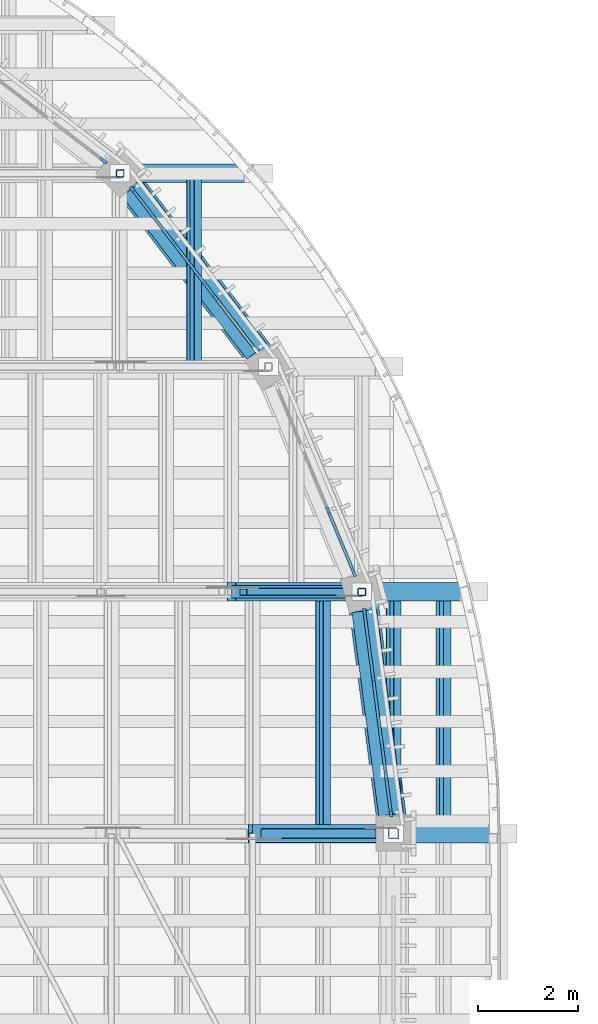
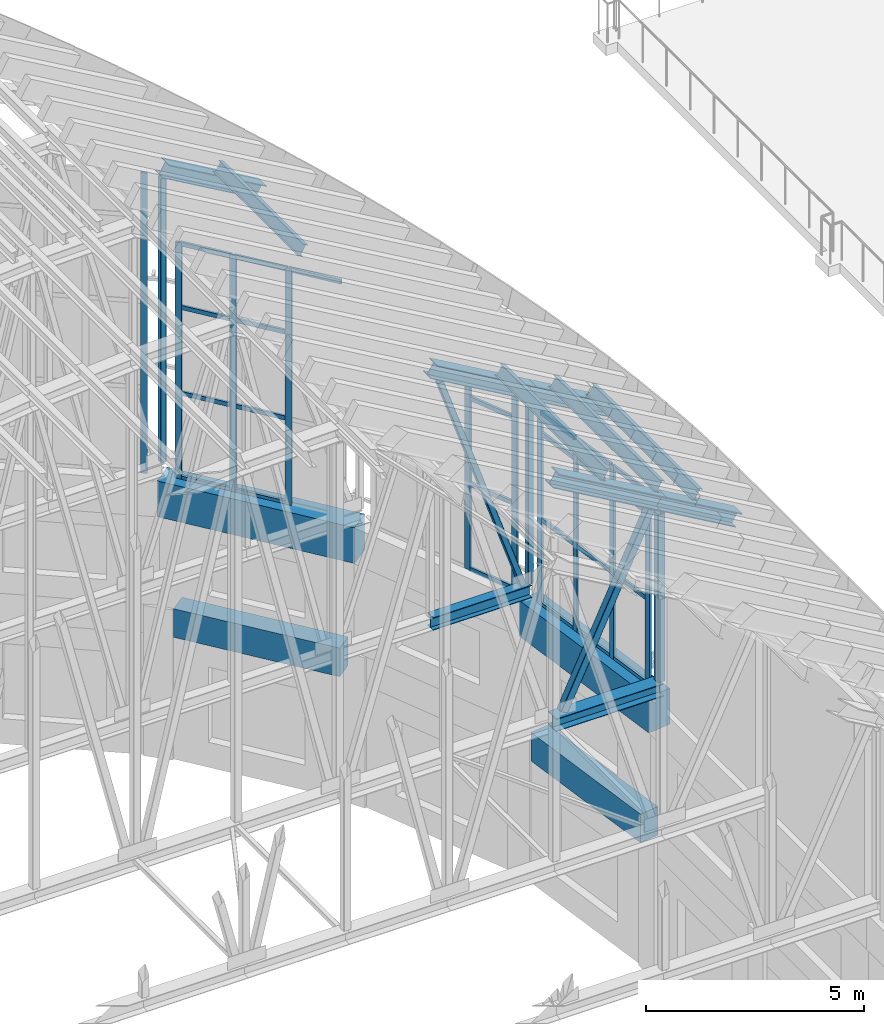
# One storey, part 27 of 105: 50 members, 4 beams, 4 elements without a shape of their own.
"""IFC4 building model written with IfcOpenShell, lengths in metres."""

from ifc_helpers import new_model, si_unit, direction, frame, origin, origin_2d, place, context, subcontext, project, spatial, rectangle, hollow_rectangle, i_section, extrude, material, layer, layer_set, material_profile, profile_set, type_object, element, aggregate, save


model = new_model("IFC4")

# Units and contexts
model_context = context("Model", 3, precision=1e-05, world=origin(), true_north=direction((0.0, 1.0)))
body_context = subcontext(model_context, "Body", "Model", "MODEL_VIEW")
ifc_project = project(units=[si_unit("LENGTHUNIT", "METRE"), si_unit("AREAUNIT", "SQUARE_METRE"), si_unit("VOLUMEUNIT", "CUBIC_METRE"), si_unit("PLANEANGLEUNIT", "RADIAN"), si_unit("MASSUNIT", "GRAM", prefix="KILO")], contexts=[model_context])

# Site, building, storey
site_placement = place(None, origin())
site = spatial("IfcSite", under=ifc_project, at=site_placement, CompositionType="ELEMENT")
building_placement = place(site_placement, origin())
building = spatial("IfcBuilding", under=site, at=building_placement, Name="Wasatch Bagh Community Centre", CompositionType="ELEMENT")
storey_placement = place(building_placement, frame((0.0, 0.0, 16.800048828125)))
storey = spatial("IfcBuildingStorey", under=building, at=storey_placement, Name="L04", CompositionType="ELEMENT", Elevation=16.800048828125)

# Members
ifc_material_1 = material(Name="ASTM A500 Grade C steel", Category="steel")
ifc_material_profile_1 = material_profile(ifc_material_1, hollow_rectangle(XDim=0.15234375, YDim=0.15234375, WallThickness=0.0087890625, InnerFilletRadius=0.0087890625, OuterFilletRadius=0.017822265625, at=origin_2d()), Name="HSS6x6x3/8")
ifc_profile_set_1 = profile_set([ifc_material_profile_1], Name="ASTM A500 Grade C steel")
member_type_1 = type_object("IfcMemberType", Name="HSS6x6x3/8 brace", PredefinedType="BRACE", material=ifc_profile_set_1)
member_1_placement = place(storey_placement, frame((53.9248046875, 69.852783203125, 8.095703125), z_axis=(-0.322264482439, 0.0, 0.946649672983), x_axis=(0.0, -1.0, 0.0)))
element("IfcMember", 1, at=member_1_placement, inside=storey, type_object=member_type_1, Name="MH.TN1.WB14", PredefinedType="BRACE", context=body_context, shape_type="SweptSolid", body=[
    extrude(hollow_rectangle(XDim=0.15234375, YDim=0.15234375, WallThickness=0.0087890625, InnerFilletRadius=0.0087890625, OuterFilletRadius=0.017822265625, at=origin_2d()), origin(), (0.0, 0.0, 1.0), 6.79931640625),
])
ifc_material_profile_2 = material_profile(ifc_material_1, hollow_rectangle(XDim=0.15234375, YDim=0.15234375, WallThickness=0.0087890625, InnerFilletRadius=0.0087890625, OuterFilletRadius=0.017822265625, at=origin_2d()), Name="HSS6x6x3/8")
ifc_profile_set_2 = profile_set([ifc_material_profile_2], Name="ASTM A500 Grade C steel")
member_type_2 = type_object("IfcMemberType", Name="HSS6x6x3/8 post", PredefinedType="POST", material=ifc_profile_set_2)
member_2_placement = place(storey_placement, frame((54.111083984375, 69.852783203125, 8.070556640625), z_axis=(0.0, 0.0, 1.0), x_axis=(1.0, 0.0, 0.0)))
element("IfcMember", 2, at=member_2_placement, inside=storey, type_object=member_type_2, Name="MH.TN1.PS15", PredefinedType="POST", context=body_context, shape_type="SweptSolid", body=[
    extrude(hollow_rectangle(XDim=0.15234375, YDim=0.15234375, WallThickness=0.0087890625, InnerFilletRadius=0.0087890625, OuterFilletRadius=0.017822265625, at=origin_2d()), origin(), (0.0, 0.0, 1.0), 5.090576171875),
])
member_3_placement = place(storey_placement, frame((49.25830078125, 78.25830078125, 8.070556640625), z_axis=(0.0, 0.0, 1.0), x_axis=(1.0, 0.0, 0.0)))
element("IfcMember", 3, at=member_3_placement, inside=storey, type_object=member_type_2, Name="MH.TN3.PS11", PredefinedType="POST", context=body_context, shape_type="SweptSolid", body=[
    extrude(hollow_rectangle(XDim=0.15234375, YDim=0.15234375, WallThickness=0.0087890625, InnerFilletRadius=0.0087890625, OuterFilletRadius=0.017822265625, at=origin_2d()), origin(), (0.0, 0.0, 1.0), 7.936279296875),
])
ifc_material_profile_3 = material_profile(ifc_material_1, hollow_rectangle(XDim=0.203125, YDim=0.203125, WallThickness=0.01171875, InnerFilletRadius=0.01171875, OuterFilletRadius=0.023681640625, at=origin_2d()), Name="HSS8x8x1/2")
ifc_profile_set_3 = profile_set([ifc_material_profile_3], Name="ASTM A500 Grade C steel")
member_type_3 = type_object("IfcMemberType", Name="HSS8x8x1/2 post", PredefinedType="POST", material=ifc_profile_set_3)
member_4_placement = place(storey_placement, frame((54.75, 65.0, 8.070556640625), z_axis=(0.0, 0.0, 1.0), x_axis=(1.0, 0.0, 0.0)))
element("IfcMember", 4, at=member_4_placement, inside=storey, type_object=member_type_3, Name="MH.TA7.PS16", PredefinedType="POST", context=body_context, shape_type="SweptSolid", body=[
    extrude(hollow_rectangle(XDim=0.203125, YDim=0.203125, WallThickness=0.01171875, InnerFilletRadius=0.01171875, OuterFilletRadius=0.023681640625, at=origin_2d()), origin(), (0.0, 0.0, 1.0), 4.690673828125),
])
ifc_material_profile_4 = material_profile(ifc_material_1, hollow_rectangle(XDim=0.203125, YDim=0.203125, WallThickness=0.0087890625, InnerFilletRadius=0.0087890625, OuterFilletRadius=0.017822265625, at=origin_2d()), Name="HSS8x8x3/8")
ifc_profile_set_4 = profile_set([ifc_material_profile_4], Name="ASTM A500 Grade C steel")
member_type_4 = type_object("IfcMemberType", Name="HSS8x8x3/8 brace", PredefinedType="BRACE", material=ifc_profile_set_4)
member_5_placement = place(storey_placement, frame((52.182373046875, 65.0, 8.11474609375), z_axis=(0.429834746182, 0.0, 0.902907576098), x_axis=(0.0, 1.0, 0.0)))
element("IfcMember", 5, at=member_5_placement, inside=storey, type_object=member_type_4, Name="MH.TA7.WB15", PredefinedType="BRACE", context=body_context, shape_type="SweptSolid", body=[
    extrude(hollow_rectangle(XDim=0.203125, YDim=0.203125, WallThickness=0.0087890625, InnerFilletRadius=0.0087890625, OuterFilletRadius=0.017822265625, at=origin_2d()), origin(), (0.0, 0.0, 1.0), 5.36962890625),
])

# Curtain wall, members
ifc_material_2 = material(Name="Aluminium curtain wall frame with low-iron glass", Category="aluminium")
ifc_layer_1 = layer(ifc_material_2, 0.10009765625)
ifc_layer_set_1 = layer_set([ifc_layer_1], Name="Aluminium curtain wall frame with low-iron glass")
curtain_wall_type_1 = type_object("IfcCurtainWallType", Name="MH end screen curtain wall 9", PredefinedType="NOTDEFINED", material=ifc_layer_set_1)
curtain_wall_1_placement = place(storey_placement, origin())
curtain_wall_1 = element("IfcCurtainWall", 6, at=curtain_wall_1_placement, inside=storey, type_object=curtain_wall_type_1, Name="End screen 19", PredefinedType="NOTDEFINED")
ifc_material_3 = material(Name="Aluminium extrusion", Category="aluminium")
ifc_material_profile_5 = material_profile(ifc_material_3, rectangle(XDim=0.06005859375, YDim=0.159912109375, at=origin_2d()), Name="AL 60x160")
ifc_profile_set_5 = profile_set([ifc_material_profile_5], Name="Aluminium extrusion")
member_type_5 = type_object("IfcMemberType", Name="MH end screen mullion 60x160", PredefinedType="MULLION", material=ifc_profile_set_5)
member_6_placement = place(storey_placement, frame((54.695556640625, 65.412841796875, 7.699951171875), z_axis=(0.0, 0.0, 1.0), x_axis=(-0.991444861374, -0.13052619222, 0.0)))
member_6 = element("IfcMember", 7, at=member_6_placement, type_object=member_type_5, Name="MH-CW9 mullion 1", PredefinedType="MULLION", context=body_context, shape_type="SweptSolid", body=[
    extrude(rectangle(XDim=0.06005859375, YDim=0.159912109375, at=origin_2d()), origin(), (0.0, 0.0, 1.0), 5.39990234375),
])
member_7_placement = place(storey_placement, frame((54.520263671875, 66.745361328125, 7.699951171875), z_axis=(0.0, 0.0, 1.0), x_axis=(-0.991444861374, -0.13052619222, 0.0)))
member_7 = element("IfcMember", 8, at=member_7_placement, type_object=member_type_5, Name="MH-CW9 mullion 2", PredefinedType="MULLION", context=body_context, shape_type="SweptSolid", body=[
    extrude(rectangle(XDim=0.06005859375, YDim=0.159912109375, at=origin_2d()), origin(), (0.0, 0.0, 1.0), 5.39990234375),
])
member_8_placement = place(storey_placement, frame((54.3408203125, 68.107421875, 7.699951171875), z_axis=(0.0, 0.0, 1.0), x_axis=(-0.991444861374, -0.13052619222, 0.0)))
member_8 = element("IfcMember", 9, at=member_8_placement, type_object=member_type_5, Name="MH-CW9 mullion 3", PredefinedType="MULLION", context=body_context, shape_type="SweptSolid", body=[
    extrude(rectangle(XDim=0.06005859375, YDim=0.159912109375, at=origin_2d()), origin(), (0.0, 0.0, 1.0), 5.39990234375),
])
member_9_placement = place(storey_placement, frame((54.16552734375, 69.43994140625, 7.699951171875), z_axis=(0.0, 0.0, 1.0), x_axis=(-0.991444861374, -0.13052619222, 0.0)))
member_9 = element("IfcMember", 10, at=member_9_placement, type_object=member_type_5, Name="MH-CW9 mullion 4", PredefinedType="MULLION", context=body_context, shape_type="SweptSolid", body=[
    extrude(rectangle(XDim=0.06005859375, YDim=0.159912109375, at=origin_2d()), origin(), (0.0, 0.0, 1.0), 5.39990234375),
])

curtain_wall_2_placement = place(storey_placement, origin())
curtain_wall_2 = element("IfcCurtainWall", 11, at=curtain_wall_2_placement, inside=storey, type_object=curtain_wall_type_1, Name="End screen 20", PredefinedType="NOTDEFINED")
member_10_placement = place(storey_placement, frame((53.95166015625, 70.237548828125, 7.699951171875), z_axis=(0.0, 0.0, 1.0), x_axis=(-0.923879532585, -0.382683432188, 0.0)))
member_10 = element("IfcMember", 12, at=member_10_placement, type_object=member_type_5, Name="MH-CW9 mullion 1", PredefinedType="MULLION", context=body_context, shape_type="SweptSolid", body=[
    extrude(rectangle(XDim=0.06005859375, YDim=0.159912109375, at=origin_2d()), origin(), (0.0, 0.0, 1.0), 5.39990234375),
])
member_11_placement = place(storey_placement, frame((53.4375, 71.479248046875, 7.699951171875), z_axis=(0.0, 0.0, 1.0), x_axis=(-0.923879532585, -0.382683432188, 0.0)))
member_11 = element("IfcMember", 13, at=member_11_placement, type_object=member_type_5, Name="MH-CW9 mullion 2", PredefinedType="MULLION", context=body_context, shape_type="SweptSolid", body=[
    extrude(rectangle(XDim=0.06005859375, YDim=0.159912109375, at=origin_2d()), origin(), (0.0, 0.0, 1.0), 5.39990234375),
])

ifc_layer_2 = layer(ifc_material_2, 0.10009765625)
ifc_layer_set_2 = layer_set([ifc_layer_2], Name="Aluminium curtain wall frame with low-iron glass")
curtain_wall_type_2 = type_object("IfcCurtainWallType", Name="MH end screen curtain wall 5", PredefinedType="NOTDEFINED", material=ifc_layer_set_2)
curtain_wall_3_placement = place(storey_placement, origin())
curtain_wall_3 = element("IfcCurtainWall", 14, at=curtain_wall_3_placement, inside=storey, type_object=curtain_wall_type_2, Name="End screen 21", PredefinedType="NOTDEFINED")
member_12_placement = place(storey_placement, frame((51.166259765625, 75.771728515625, 7.699951171875), z_axis=(0.0, 0.0, 1.0), x_axis=(-0.79335334027, -0.608761429036, 0.0)))
member_12 = element("IfcMember", 15, at=member_12_placement, type_object=member_type_5, Name="MH-CW5 mullion 2", PredefinedType="MULLION", context=body_context, shape_type="SweptSolid", body=[
    extrude(rectangle(XDim=0.06005859375, YDim=0.159912109375, at=origin_2d()), origin(), (0.0, 0.0, 1.0), 6.60009765625),
])
member_13_placement = place(storey_placement, frame((50.329833984375, 76.861572265625, 7.699951171875), z_axis=(0.0, 0.0, 1.0), x_axis=(-0.79335334027, -0.608761429036, 0.0)))
member_13 = element("IfcMember", 16, at=member_13_placement, type_object=member_type_5, Name="MH-CW5 mullion 3", PredefinedType="MULLION", context=body_context, shape_type="SweptSolid", body=[
    extrude(rectangle(XDim=0.06005859375, YDim=0.159912109375, at=origin_2d()), origin(), (0.0, 0.0, 1.0), 6.60009765625),
])
member_14_placement = place(storey_placement, frame((49.51171875, 77.927978515625, 7.699951171875), z_axis=(0.0, 0.0, 1.0), x_axis=(-0.79335334027, -0.608761429036, 0.0)))
member_14 = element("IfcMember", 17, at=member_14_placement, type_object=member_type_5, Name="MH-CW5 mullion 4", PredefinedType="MULLION", context=body_context, shape_type="SweptSolid", body=[
    extrude(rectangle(XDim=0.06005859375, YDim=0.159912109375, at=origin_2d()), origin(), (0.0, 0.0, 1.0), 6.60009765625),
])

# Curtain wall, member
ifc_layer_3 = layer(ifc_material_2, 0.10009765625)
ifc_layer_set_3 = layer_set([ifc_layer_3], Name="Aluminium curtain wall frame with low-iron glass")
curtain_wall_type_3 = type_object("IfcCurtainWallType", Name="MH end screen curtain wall 7", PredefinedType="NOTDEFINED", material=ifc_layer_set_3)
curtain_wall_4_placement = place(storey_placement, origin())
curtain_wall_4 = element("IfcCurtainWall", 18, at=curtain_wall_4_placement, inside=storey, type_object=curtain_wall_type_3, Name="End screen 22", PredefinedType="NOTDEFINED")
member_15_placement = place(storey_placement, frame((48.927978515625, 78.51171875, 7.699951171875), z_axis=(0.0, 0.0, 1.0), x_axis=(-0.608761429036, -0.79335334027, 0.0)))
member_15 = element("IfcMember", 19, at=member_15_placement, type_object=member_type_5, Name="MH-CW7 mullion 1", PredefinedType="MULLION", context=body_context, shape_type="SweptSolid", body=[
    extrude(rectangle(XDim=0.06005859375, YDim=0.159912109375, at=origin_2d()), origin(), (0.0, 0.0, 1.0), 8.39990234375),
])
aggregate(curtain_wall_4, [member_15])

# Member
ifc_material_profile_6 = material_profile(ifc_material_3, rectangle(XDim=0.06005859375, YDim=0.1201171875, at=origin_2d()), Name="AL 60x120")
ifc_profile_set_6 = profile_set([ifc_material_profile_6], Name="Aluminium extrusion")
member_type_6 = type_object("IfcMemberType", Name="MH end screen transom 60x120", PredefinedType="USERDEFINED", material=ifc_profile_set_6)
member_16_placement = place(storey_placement, frame((54.691650390625, 65.442626953125, 7.72998046875), z_axis=(-0.130444674855, 0.991455589929, 0.0), x_axis=(-0.991455589929, -0.130444674855, 0.0)))
member_16 = element("IfcMember", 20, at=member_16_placement, type_object=member_type_6, Name="MH-CW9 transom 1.1", ObjectType="TRANSOM", PredefinedType="USERDEFINED", context=body_context, shape_type="SweptSolid", body=[
    extrude(rectangle(XDim=0.06005859375, YDim=0.1201171875, at=origin_2d()), origin(), (0.0, 0.0, 1.0), 1.283935546875),
])

member_17_placement = place(storey_placement, frame((54.691650390625, 65.442626953125, 10.099853515625), z_axis=(-0.130444674855, 0.991455589929, 0.0), x_axis=(-0.991455589929, -0.130444674855, 0.0)))
member_17 = element("IfcMember", 21, at=member_17_placement, type_object=member_type_6, Name="MH-CW9 transom 1.2", ObjectType="TRANSOM", PredefinedType="USERDEFINED", context=body_context, shape_type="SweptSolid", body=[
    extrude(rectangle(XDim=0.06005859375, YDim=0.1201171875, at=origin_2d()), origin(), (0.0, 0.0, 1.0), 1.283935546875),
])

member_18_placement = place(storey_placement, frame((54.691650390625, 65.442626953125, 12.5), z_axis=(-0.130444674855, 0.991455589929, 0.0), x_axis=(-0.991455589929, -0.130444674855, 0.0)))
member_18 = element("IfcMember", 22, at=member_18_placement, type_object=member_type_6, Name="MH-CW9 transom 1.3", ObjectType="TRANSOM", PredefinedType="USERDEFINED", context=body_context, shape_type="SweptSolid", body=[
    extrude(rectangle(XDim=0.06005859375, YDim=0.1201171875, at=origin_2d()), origin(), (0.0, 0.0, 1.0), 1.283935546875),
])

member_19_placement = place(storey_placement, frame((54.691650390625, 65.442626953125, 13.070068359375), z_axis=(-0.130444674855, 0.991455589929, 0.0), x_axis=(-0.991455589929, -0.130444674855, 0.0)))
member_19 = element("IfcMember", 23, at=member_19_placement, type_object=member_type_6, Name="MH-CW9 transom 1.4", ObjectType="TRANSOM", PredefinedType="USERDEFINED", context=body_context, shape_type="SweptSolid", body=[
    extrude(rectangle(XDim=0.06005859375, YDim=0.1201171875, at=origin_2d()), origin(), (0.0, 0.0, 1.0), 1.283935546875),
])

member_20_placement = place(storey_placement, frame((54.516357421875, 66.775146484375, 7.72998046875), z_axis=(-0.130617924389, 0.991432780287, 0.0), x_axis=(-0.991432780287, -0.130617924389, 0.0)))
member_20 = element("IfcMember", 24, at=member_20_placement, type_object=member_type_6, Name="MH-CW9 transom 2.1", ObjectType="TRANSOM", PredefinedType="USERDEFINED", context=body_context, shape_type="SweptSolid", body=[
    extrude(rectangle(XDim=0.06005859375, YDim=0.1201171875, at=origin_2d()), origin(), (0.0, 0.0, 1.0), 1.31396484375),
])

member_21_placement = place(storey_placement, frame((54.516357421875, 66.775146484375, 10.099853515625), z_axis=(-0.130617924389, 0.991432780287, 0.0), x_axis=(-0.991432780287, -0.130617924389, 0.0)))
member_21 = element("IfcMember", 25, at=member_21_placement, type_object=member_type_6, Name="MH-CW9 transom 2.2", ObjectType="TRANSOM", PredefinedType="USERDEFINED", context=body_context, shape_type="SweptSolid", body=[
    extrude(rectangle(XDim=0.06005859375, YDim=0.1201171875, at=origin_2d()), origin(), (0.0, 0.0, 1.0), 1.31396484375),
])

member_22_placement = place(storey_placement, frame((54.516357421875, 66.775146484375, 12.5), z_axis=(-0.130617924389, 0.991432780287, 0.0), x_axis=(-0.991432780287, -0.130617924389, 0.0)))
member_22 = element("IfcMember", 26, at=member_22_placement, type_object=member_type_6, Name="MH-CW9 transom 2.3", ObjectType="TRANSOM", PredefinedType="USERDEFINED", context=body_context, shape_type="SweptSolid", body=[
    extrude(rectangle(XDim=0.06005859375, YDim=0.1201171875, at=origin_2d()), origin(), (0.0, 0.0, 1.0), 1.31396484375),
])

member_23_placement = place(storey_placement, frame((54.516357421875, 66.775146484375, 13.070068359375), z_axis=(-0.130617924389, 0.991432780287, 0.0), x_axis=(-0.991432780287, -0.130617924389, 0.0)))
member_23 = element("IfcMember", 27, at=member_23_placement, type_object=member_type_6, Name="MH-CW9 transom 2.4", ObjectType="TRANSOM", PredefinedType="USERDEFINED", context=body_context, shape_type="SweptSolid", body=[
    extrude(rectangle(XDim=0.06005859375, YDim=0.1201171875, at=origin_2d()), origin(), (0.0, 0.0, 1.0), 1.31396484375),
])

member_24_placement = place(storey_placement, frame((54.3369140625, 68.13720703125, 7.72998046875), z_axis=(-0.130444674855, 0.991455589929, 0.0), x_axis=(-0.991455589929, -0.130444674855, 0.0)))
member_24 = element("IfcMember", 28, at=member_24_placement, type_object=member_type_6, Name="MH-CW9 transom 3.1", ObjectType="TRANSOM", PredefinedType="USERDEFINED", context=body_context, shape_type="SweptSolid", body=[
    extrude(rectangle(XDim=0.06005859375, YDim=0.1201171875, at=origin_2d()), origin(), (0.0, 0.0, 1.0), 1.283935546875),
])

member_25_placement = place(storey_placement, frame((54.3369140625, 68.13720703125, 10.099853515625), z_axis=(-0.130444674855, 0.991455589929, 0.0), x_axis=(-0.991455589929, -0.130444674855, 0.0)))
member_25 = element("IfcMember", 29, at=member_25_placement, type_object=member_type_6, Name="MH-CW9 transom 3.2", ObjectType="TRANSOM", PredefinedType="USERDEFINED", context=body_context, shape_type="SweptSolid", body=[
    extrude(rectangle(XDim=0.06005859375, YDim=0.1201171875, at=origin_2d()), origin(), (0.0, 0.0, 1.0), 1.283935546875),
])

member_26_placement = place(storey_placement, frame((54.3369140625, 68.13720703125, 12.5), z_axis=(-0.130444674855, 0.991455589929, 0.0), x_axis=(-0.991455589929, -0.130444674855, 0.0)))
member_26 = element("IfcMember", 30, at=member_26_placement, type_object=member_type_6, Name="MH-CW9 transom 3.3", ObjectType="TRANSOM", PredefinedType="USERDEFINED", context=body_context, shape_type="SweptSolid", body=[
    extrude(rectangle(XDim=0.06005859375, YDim=0.1201171875, at=origin_2d()), origin(), (0.0, 0.0, 1.0), 1.283935546875),
])

member_27_placement = place(storey_placement, frame((54.3369140625, 68.13720703125, 13.070068359375), z_axis=(-0.130444674855, 0.991455589929, 0.0), x_axis=(-0.991455589929, -0.130444674855, 0.0)))
member_27 = element("IfcMember", 31, at=member_27_placement, type_object=member_type_6, Name="MH-CW9 transom 3.4", ObjectType="TRANSOM", PredefinedType="USERDEFINED", context=body_context, shape_type="SweptSolid", body=[
    extrude(rectangle(XDim=0.06005859375, YDim=0.1201171875, at=origin_2d()), origin(), (0.0, 0.0, 1.0), 1.283935546875),
])

aggregate(curtain_wall_1, [member_6, member_7, member_8, member_9, member_16, member_17, member_18, member_19, member_20, member_21, member_22, member_23, member_24, member_25, member_26, member_27])

member_28_placement = place(storey_placement, frame((53.940185546875, 70.265380859375, 7.72998046875), z_axis=(-0.382642933155, 0.923896306793, 0.0), x_axis=(-0.923896306793, -0.382642933155, 0.0)))
member_28 = element("IfcMember", 32, at=member_28_placement, type_object=member_type_6, Name="MH-CW9 transom 1.1", ObjectType="TRANSOM", PredefinedType="USERDEFINED", context=body_context, shape_type="SweptSolid", body=[
    extrude(rectangle(XDim=0.06005859375, YDim=0.1201171875, at=origin_2d()), origin(), (0.0, 0.0, 1.0), 1.28369140625),
])

member_29_placement = place(storey_placement, frame((53.940185546875, 70.265380859375, 10.099853515625), z_axis=(-0.382642933155, 0.923896306793, 0.0), x_axis=(-0.923896306793, -0.382642933155, 0.0)))
member_29 = element("IfcMember", 33, at=member_29_placement, type_object=member_type_6, Name="MH-CW9 transom 1.2", ObjectType="TRANSOM", PredefinedType="USERDEFINED", context=body_context, shape_type="SweptSolid", body=[
    extrude(rectangle(XDim=0.06005859375, YDim=0.1201171875, at=origin_2d()), origin(), (0.0, 0.0, 1.0), 1.28369140625),
])

member_30_placement = place(storey_placement, frame((53.940185546875, 70.265380859375, 12.5), z_axis=(-0.382642933155, 0.923896306793, 0.0), x_axis=(-0.923896306793, -0.382642933155, 0.0)))
member_30 = element("IfcMember", 34, at=member_30_placement, type_object=member_type_6, Name="MH-CW9 transom 1.3", ObjectType="TRANSOM", PredefinedType="USERDEFINED", context=body_context, shape_type="SweptSolid", body=[
    extrude(rectangle(XDim=0.06005859375, YDim=0.1201171875, at=origin_2d()), origin(), (0.0, 0.0, 1.0), 1.28369140625),
])

aggregate(curtain_wall_2, [member_10, member_11, member_28, member_29, member_30])

member_31_placement = place(storey_placement, frame((51.96630859375, 74.729248046875, 14.27001953125), z_axis=(-0.608846614125, 0.793287968186, 0.0), x_axis=(-0.793287968186, -0.608846614125, 0.0)))
member_31 = element("IfcMember", 35, at=member_31_placement, type_object=member_type_6, Name="MH-CW5 transom 1.4", ObjectType="TRANSOM", PredefinedType="USERDEFINED", context=body_context, shape_type="SweptSolid", body=[
    extrude(rectangle(XDim=0.06005859375, YDim=0.1201171875, at=origin_2d()), origin(), (0.0, 0.0, 1.0), 1.283935546875),
])

member_32_placement = place(storey_placement, frame((51.14794921875, 75.79541015625, 7.72998046875), z_axis=(-0.608704562389, 0.793396972345, 0.0), x_axis=(-0.793396972345, -0.608704562389, 0.0)))
member_32 = element("IfcMember", 36, at=member_32_placement, type_object=member_type_6, Name="MH-CW5 transom 2.1", ObjectType="TRANSOM", PredefinedType="USERDEFINED", context=body_context, shape_type="SweptSolid", body=[
    extrude(rectangle(XDim=0.06005859375, YDim=0.1201171875, at=origin_2d()), origin(), (0.0, 0.0, 1.0), 1.31396484375),
])

member_33_placement = place(storey_placement, frame((51.14794921875, 75.79541015625, 10.099853515625), z_axis=(-0.608704562389, 0.793396972345, 0.0), x_axis=(-0.793396972345, -0.608704562389, 0.0)))
member_33 = element("IfcMember", 37, at=member_33_placement, type_object=member_type_6, Name="MH-CW5 transom 2.2", ObjectType="TRANSOM", PredefinedType="USERDEFINED", context=body_context, shape_type="SweptSolid", body=[
    extrude(rectangle(XDim=0.06005859375, YDim=0.1201171875, at=origin_2d()), origin(), (0.0, 0.0, 1.0), 1.31396484375),
])

member_34_placement = place(storey_placement, frame((51.14794921875, 75.79541015625, 12.5), z_axis=(-0.608704562389, 0.793396972345, 0.0), x_axis=(-0.793396972345, -0.608704562389, 0.0)))
member_34 = element("IfcMember", 38, at=member_34_placement, type_object=member_type_6, Name="MH-CW5 transom 2.3", ObjectType="TRANSOM", PredefinedType="USERDEFINED", context=body_context, shape_type="SweptSolid", body=[
    extrude(rectangle(XDim=0.06005859375, YDim=0.1201171875, at=origin_2d()), origin(), (0.0, 0.0, 1.0), 1.31396484375),
])

member_35_placement = place(storey_placement, frame((51.14794921875, 75.79541015625, 14.27001953125), z_axis=(-0.608704562389, 0.793396972345, 0.0), x_axis=(-0.793396972345, -0.608704562389, 0.0)))
member_35 = element("IfcMember", 39, at=member_35_placement, type_object=member_type_6, Name="MH-CW5 transom 2.4", ObjectType="TRANSOM", PredefinedType="USERDEFINED", context=body_context, shape_type="SweptSolid", body=[
    extrude(rectangle(XDim=0.06005859375, YDim=0.1201171875, at=origin_2d()), origin(), (0.0, 0.0, 1.0), 1.31396484375),
])

member_36_placement = place(storey_placement, frame((50.311767578125, 76.885498046875, 7.72998046875), z_axis=(-0.608846614125, 0.793287968186, 0.0), x_axis=(-0.793287968186, -0.608846614125, 0.0)))
member_36 = element("IfcMember", 40, at=member_36_placement, type_object=member_type_6, Name="MH-CW5 transom 3.1", ObjectType="TRANSOM", PredefinedType="USERDEFINED", context=body_context, shape_type="SweptSolid", body=[
    extrude(rectangle(XDim=0.06005859375, YDim=0.1201171875, at=origin_2d()), origin(), (0.0, 0.0, 1.0), 1.283935546875),
])

member_37_placement = place(storey_placement, frame((50.311767578125, 76.885498046875, 10.099853515625), z_axis=(-0.608846614125, 0.793287968186, 0.0), x_axis=(-0.793287968186, -0.608846614125, 0.0)))
member_37 = element("IfcMember", 41, at=member_37_placement, type_object=member_type_6, Name="MH-CW5 transom 3.2", ObjectType="TRANSOM", PredefinedType="USERDEFINED", context=body_context, shape_type="SweptSolid", body=[
    extrude(rectangle(XDim=0.06005859375, YDim=0.1201171875, at=origin_2d()), origin(), (0.0, 0.0, 1.0), 1.283935546875),
])

member_38_placement = place(storey_placement, frame((50.311767578125, 76.885498046875, 12.5), z_axis=(-0.608846614125, 0.793287968186, 0.0), x_axis=(-0.793287968186, -0.608846614125, 0.0)))
member_38 = element("IfcMember", 42, at=member_38_placement, type_object=member_type_6, Name="MH-CW5 transom 3.3", ObjectType="TRANSOM", PredefinedType="USERDEFINED", context=body_context, shape_type="SweptSolid", body=[
    extrude(rectangle(XDim=0.06005859375, YDim=0.1201171875, at=origin_2d()), origin(), (0.0, 0.0, 1.0), 1.283935546875),
])

member_39_placement = place(storey_placement, frame((50.311767578125, 76.885498046875, 14.27001953125), z_axis=(-0.608846614125, 0.793287968186, 0.0), x_axis=(-0.793287968186, -0.608846614125, 0.0)))
member_39 = element("IfcMember", 43, at=member_39_placement, type_object=member_type_6, Name="MH-CW5 transom 3.4", ObjectType="TRANSOM", PredefinedType="USERDEFINED", context=body_context, shape_type="SweptSolid", body=[
    extrude(rectangle(XDim=0.06005859375, YDim=0.1201171875, at=origin_2d()), origin(), (0.0, 0.0, 1.0), 1.283935546875),
])

aggregate(curtain_wall_3, [member_12, member_13, member_14, member_31, member_32, member_33, member_34, member_35, member_36, member_37, member_38, member_39])

# Beams
ifc_material_4 = material(Name="Concrete C35", Category="concrete")
ifc_material_profile_7 = material_profile(ifc_material_4, rectangle(XDim=0.5, YDim=0.800048828125, at=origin_2d()), Name="RC 500x800")
ifc_profile_set_7 = profile_set([ifc_material_profile_7], Name="Concrete C35")
beam_type_1 = type_object("IfcBeamType", Name="MH ring beam RC 500x800", PredefinedType="BEAM", material=ifc_profile_set_7)
for number, where, z_axis, x_axis, name in (
    (44, (54.699462890625, 65.383056640625, 3.800048828125), (-0.130483623501, 0.991450464722, 0.0), (-0.991450464722, -0.130483623501, 0.0), "Ring beam 21.0 E7-N1"),
    (45, (52.002685546875, 74.681640625, 3.800048828125), (-0.60877717335, 0.793341258985, 0.0), (-0.793341258985, -0.60877717335, 0.0), "Ring beam 21.0 N2-N3"),
):
    element("IfcBeam", number, at=place(storey_placement, frame(where, z_axis=z_axis, x_axis=x_axis)), inside=storey, type_object=beam_type_1, Name=name, PredefinedType="BEAM", context=body_context, shape_type="SweptSolid", body=[
        extrude(rectangle(XDim=0.5, YDim=0.800048828125, at=origin_2d()), origin(), (0.0, 0.0, 1.0), 4.121826171875),
    ])
ifc_material_profile_8 = material_profile(ifc_material_4, rectangle(XDim=0.60009765625, YDim=1.0, at=origin_2d()), Name="RC 600x1000")
ifc_profile_set_8 = profile_set([ifc_material_profile_8], Name="Concrete C35")
beam_type_2 = type_object("IfcBeamType", Name="MH ring beam RC 600x1000", PredefinedType="BEAM", material=ifc_profile_set_8)
for number, where, z_axis, x_axis, name in (
    (46, (54.75, 65.0, 7.199951171875), (-0.130533218363, 0.991443936339, 0.0), (-0.991443936339, -0.130533218363, 0.0), "Ring beam 24.5 E7-N1"),
    (47, (52.238037109375, 74.375, 7.199951171875), (-0.608758193246, 0.793355823169, 0.0), (-0.793355823169, -0.608758193246, 0.0), "Ring beam 24.5 N2-N3"),
):
    element("IfcBeam", number, at=place(storey_placement, frame(where, z_axis=z_axis, x_axis=x_axis)), inside=storey, type_object=beam_type_2, Name=name, PredefinedType="BEAM", context=body_context, shape_type="SweptSolid", body=[
        extrude(rectangle(XDim=0.60009765625, YDim=1.0, at=origin_2d()), origin(), (0.0, 0.0, 1.0), 4.894775390625),
    ])

# Members
ifc_material_5 = material(Name="ASTM A992 Grade 50 steel", Category="steel")
ifc_material_profile_9 = material_profile(ifc_material_5, i_section(OverallWidth=0.164794921875, OverallDepth=0.309814453125, WebThickness=0.005859375, FlangeThickness=0.009765625, at=origin_2d()), Name="W12x26")
ifc_profile_set_9 = profile_set([ifc_material_profile_9], Name="ASTM A992 Grade 50 steel")
member_type_7 = type_object("IfcMemberType", Name="W12x26 purlin", PredefinedType="PURLIN", material=ifc_profile_set_9)
for number, where, z_axis, x_axis, name in (
    (48, (53.333251953125, 65.0, 14.289306640625), (0.0, 1.0, 0.0), (-0.866025403784, 0.0, 0.5), "MH.TA7-TN1.PU30"),
    (49, (54.75, 65.0, 13.471435546875), (0.0, 1.0, 0.0), (-0.866025403784, 0.0, 0.5), "MH.TA7-TN1.PU31"),
    (50, (55.75, 65.0, 12.89404296875), (0.0, 1.0, 0.0), (-0.866025403784, 0.0, 0.5), "MH.TA7-TN1.PU32"),
):
    element("IfcMember", number, at=place(storey_placement, frame(where, z_axis=z_axis, x_axis=x_axis)), inside=storey, type_object=member_type_7, Name=name, PredefinedType="PURLIN", context=body_context, shape_type="SweptSolid", body=[
        extrude(i_section(OverallWidth=0.164794921875, OverallDepth=0.309814453125, WebThickness=0.005859375, FlangeThickness=0.009765625, at=origin_2d()), origin(), (0.0, 0.0, 1.0), 4.852783203125),
    ])
member_40_placement = place(storey_placement, frame((50.740966796875, 74.375, 15.785888671875), z_axis=(0.0, 1.0, 0.0), x_axis=(-0.866025403784, 0.0, 0.5)))
element("IfcMember", 51, at=member_40_placement, inside=storey, type_object=member_type_7, Name="MH.TN2-TN3.PU23", PredefinedType="PURLIN", context=body_context, shape_type="SweptSolid", body=[
    extrude(i_section(OverallWidth=0.164794921875, OverallDepth=0.309814453125, WebThickness=0.005859375, FlangeThickness=0.009765625, at=origin_2d()), origin(), (0.0, 0.0, 1.0), 3.88330078125),
])
ifc_material_profile_10 = material_profile(ifc_material_5, i_section(OverallWidth=0.373291015625, OverallDepth=0.368408203125, WebThickness=0.014892578125, FlangeThickness=0.02392578125, at=origin_2d()), Name="W14x120")
ifc_profile_set_10 = profile_set([ifc_material_profile_10], Name="ASTM A992 Grade 50 steel")
member_type_8 = type_object("IfcMemberType", Name="W14x120 chord", PredefinedType="CHORD", material=ifc_profile_set_10)
member_41_placement = place(storey_placement, frame((51.9169921875, 65.0, 14.71533203125), z_axis=(0.866038908564, 0.0, -0.499976608306), x_axis=(0.0, 1.0, 0.0)))
element("IfcMember", 52, at=member_41_placement, inside=storey, type_object=member_type_8, Name="MH.TA7.TC17", PredefinedType="CHORD", context=body_context, shape_type="SweptSolid", body=[
    extrude(i_section(OverallWidth=0.373291015625, OverallDepth=0.368408203125, WebThickness=0.014892578125, FlangeThickness=0.02392578125, at=origin_2d()), origin(), (0.0, 0.0, 1.0), 3.270751953125),
])
member_42_placement = place(storey_placement, frame((54.75048828125, 65.0, 13.07958984375), z_axis=(0.866002450397, 0.0, -0.500039754326), x_axis=(0.0, 1.0, 0.0)))
element("IfcMember", 53, at=member_42_placement, inside=storey, type_object=member_type_8, Name="MH.TA7.TC18", PredefinedType="CHORD", context=body_context, shape_type="SweptSolid", body=[
    extrude(i_section(OverallWidth=0.373291015625, OverallDepth=0.368408203125, WebThickness=0.014892578125, FlangeThickness=0.02392578125, at=origin_2d()), origin(), (0.0, 0.0, 1.0), 2.308837890625),
])
ifc_material_profile_11 = material_profile(ifc_material_5, i_section(OverallWidth=0.25390625, OverallDepth=0.355712890625, WebThickness=0.010498046875, FlangeThickness=0.018310546875, at=origin_2d()), Name="W14x68")
ifc_profile_set_11 = profile_set([ifc_material_profile_11], Name="ASTM A992 Grade 50 steel")
member_type_9 = type_object("IfcMemberType", Name="W14x68 chord", PredefinedType="CHORD", material=ifc_profile_set_11)
member_43_placement = place(storey_placement, frame((51.49072265625, 69.852783203125, 7.892822265625), z_axis=(1.0, 0.0, 0.0), x_axis=(0.0, 1.0, 0.0)))
element("IfcMember", 54, at=member_43_placement, inside=storey, type_object=member_type_9, Name="MH.TN1.BC14", PredefinedType="CHORD", context=body_context, shape_type="SweptSolid", body=[
    extrude(i_section(OverallWidth=0.25390625, OverallDepth=0.355712890625, WebThickness=0.010498046875, FlangeThickness=0.018310546875, at=origin_2d()), origin(), (0.0, 0.0, 1.0), 2.620361328125),
])
ifc_material_profile_12 = material_profile(ifc_material_5, i_section(OverallWidth=0.368408203125, OverallDepth=0.355712890625, WebThickness=0.01123046875, FlangeThickness=0.01806640625, at=origin_2d()), Name="W14x90")
ifc_profile_set_12 = profile_set([ifc_material_profile_12], Name="ASTM A992 Grade 50 steel")
member_type_10 = type_object("IfcMemberType", Name="W14x90 chord", PredefinedType="CHORD", material=ifc_profile_set_12)
member_44_placement = place(storey_placement, frame((51.916748046875, 65.0, 7.892822265625), z_axis=(1.0, 0.0, 0.0), x_axis=(0.0, 1.0, 0.0)))
element("IfcMember", 55, at=member_44_placement, inside=storey, type_object=member_type_10, Name="MH.TA7.BC15", PredefinedType="CHORD", context=body_context, shape_type="SweptSolid", body=[
    extrude(i_section(OverallWidth=0.368408203125, OverallDepth=0.355712890625, WebThickness=0.01123046875, FlangeThickness=0.01806640625, at=origin_2d()), origin(), (0.0, 0.0, 1.0), 2.833251953125),
])
member_45_placement = place(storey_placement, frame((51.4912109375, 69.852783203125, 14.96875), z_axis=(0.866004119088, 0.0, -0.500036864363), x_axis=(0.0, 1.0, 0.0)))
element("IfcMember", 56, at=member_45_placement, inside=storey, type_object=member_type_10, Name="MH.TN1.TC16", PredefinedType="CHORD", context=body_context, shape_type="SweptSolid", body=[
    extrude(i_section(OverallWidth=0.368408203125, OverallDepth=0.355712890625, WebThickness=0.01123046875, FlangeThickness=0.01806640625, at=origin_2d()), origin(), (0.0, 0.0, 1.0), 3.024658203125),
])
member_46_placement = place(storey_placement, frame((54.111572265625, 69.852783203125, 13.455810546875), z_axis=(0.866020804944, 0.0, -0.50000796534), x_axis=(0.0, 1.0, 0.0)))
element("IfcMember", 57, at=member_46_placement, inside=storey, type_object=member_type_10, Name="MH.TN1.TC17", PredefinedType="CHORD", context=body_context, shape_type="SweptSolid", body=[
    extrude(i_section(OverallWidth=0.368408203125, OverallDepth=0.355712890625, WebThickness=0.01123046875, FlangeThickness=0.01806640625, at=origin_2d()), origin(), (0.0, 0.0, 1.0), 2.36865234375),
])
member_47_placement = place(storey_placement, frame((49.259033203125, 78.25830078125, 16.25732421875), z_axis=(0.866050448169, 0.0, -0.499956619345), x_axis=(0.0, 1.0, 0.0)))
element("IfcMember", 58, at=member_47_placement, inside=storey, type_object=member_type_10, Name="MH.TN3.TC13", PredefinedType="CHORD", context=body_context, shape_type="SweptSolid", body=[
    extrude(i_section(OverallWidth=0.368408203125, OverallDepth=0.355712890625, WebThickness=0.01123046875, FlangeThickness=0.01806640625, at=origin_2d()), origin(), (0.0, 0.0, 1.0), 2.978271484375),
])

save(model, "model.ifc")
